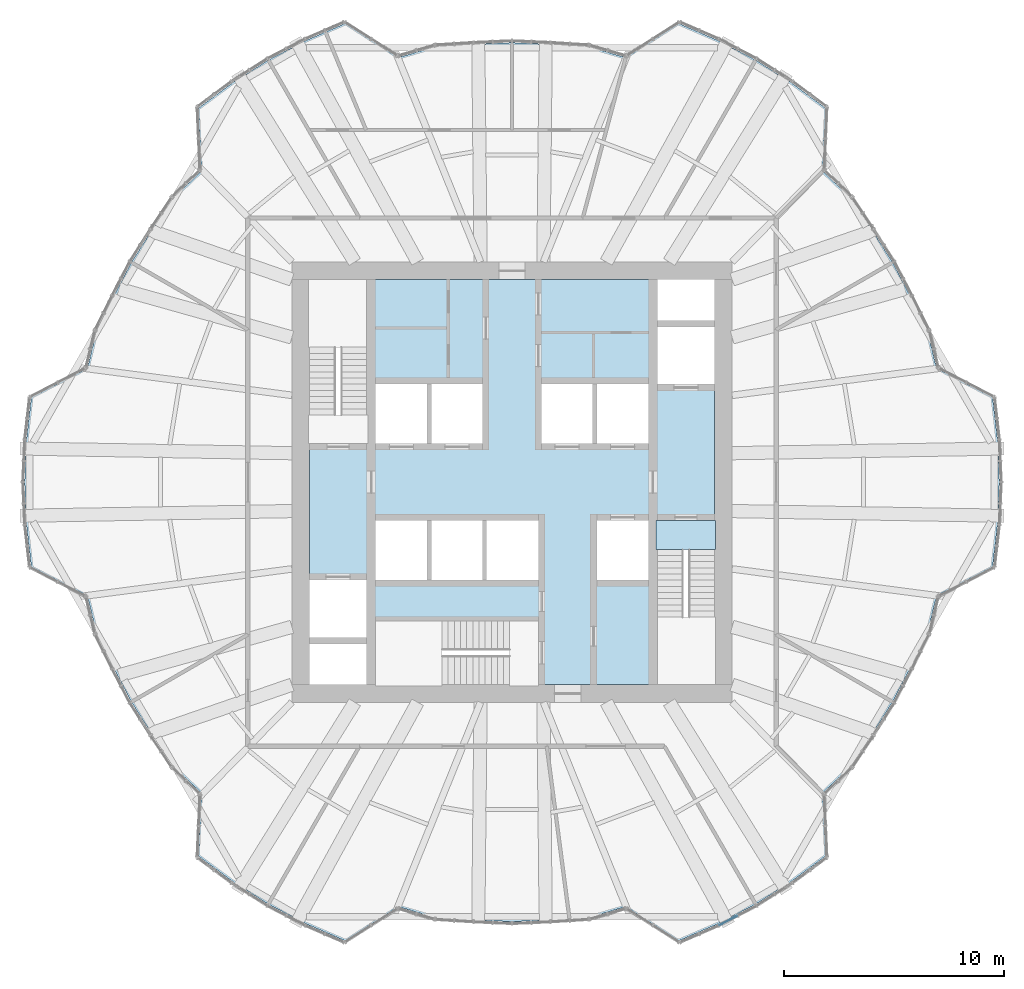
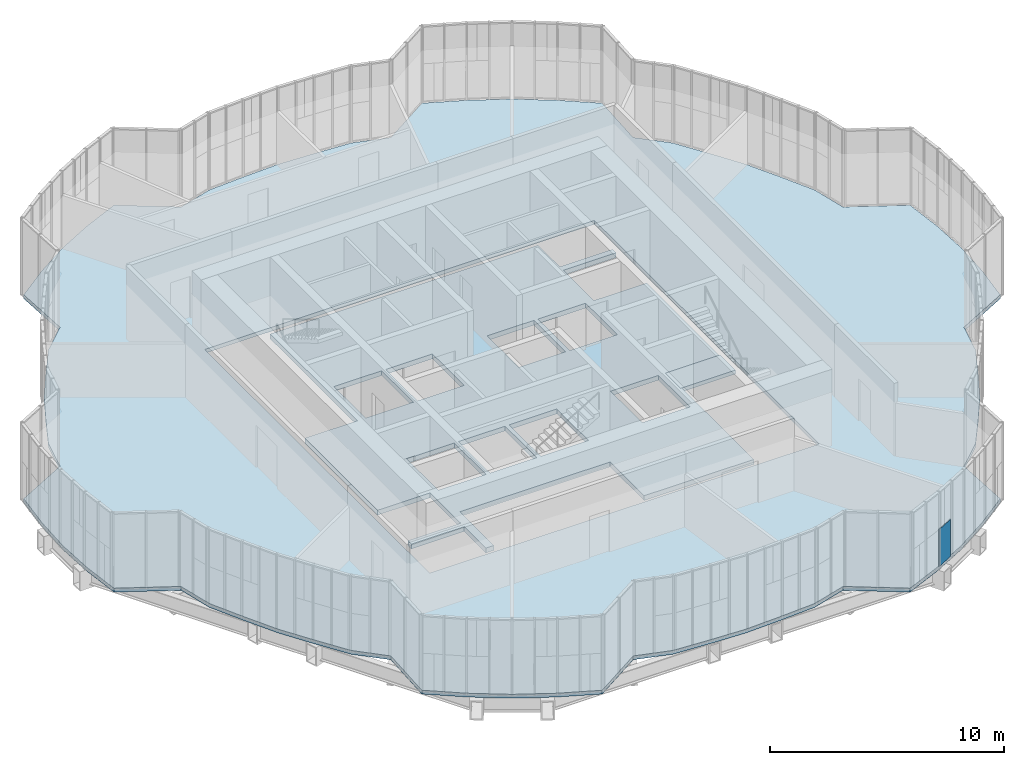
# One storey, part 16 of 24: 3 slabs, 1 plate, 1 element without a shape of its own.
"""IFC4 building model written with IfcOpenShell, lengths in metres."""

from ifc_helpers import new_model, si_unit, direction, frame, origin, origin_2d, place, context, subcontext, project, spatial, polyline, rectangle, outline, extrude, material, layer, layer_set, type_object, element, aggregate, save


model = new_model("IFC4")

# Units and contexts
model_context = context("Model", 3, precision=1e-05, world=origin(), true_north=direction((0.0, 1.0)))
body_context = subcontext(model_context, "Body", "Model", "MODEL_VIEW")
ifc_project = project(units=[si_unit("LENGTHUNIT", "METRE"), si_unit("AREAUNIT", "SQUARE_METRE"), si_unit("VOLUMEUNIT", "CUBIC_METRE"), si_unit("PLANEANGLEUNIT", "RADIAN"), si_unit("MASSUNIT", "GRAM", prefix="KILO")], contexts=[model_context])

# Site, building, storey
site_placement = place(None, origin())
site = spatial("IfcSite", under=ifc_project, at=site_placement, CompositionType="ELEMENT")
building_placement = place(site_placement, origin())
building = spatial("IfcBuilding", under=site, at=building_placement, Name="Golbaran Civic Tower", CompositionType="ELEMENT")
storey_placement = place(building_placement, frame((0.0, 0.0, 25.0)))
storey = spatial("IfcBuildingStorey", under=building, at=storey_placement, Name="L05", CompositionType="ELEMENT", Elevation=25.0)

# Slabs
ifc_material_1 = material(Name="Concrete LC30/33 lightweight on steel deck", Category="concrete")
ifc_layer_1 = layer(ifc_material_1, 0.199951171875, Name="Concrete LC30/33 lightweight on steel deck")
ifc_layer_set_1 = layer_set([ifc_layer_1], Name="Concrete LC30/33 lightweight on steel deck")
slab_type_1 = type_object("IfcSlabType", Name="COMPOSITE FLOOR SLAB 200", PredefinedType="FLOOR", material=ifc_layer_set_1)
slab_1_placement = place(storey_placement, frame((0.0, 0.0, -0.199951171875)))
element("IfcSlab", 1, at=slab_1_placement, inside=storey, type_object=slab_type_1, Name="Floor slab L05", PredefinedType="FLOOR", context=body_context, shape_type="SweptSolid", body=[
    extrude(outline(polyline([(21.833984375, -3.849853515625), (19.285400390625, -5.16748046875), (18.87353515625, -6.869384765625), (18.094970703125, -8.437744140625), (17.290771484375, -9.98291015625), (16.35498046875, -11.451904296875), (15.3857421875, -12.91015625), (14.117919921875, -14.117919921875), (14.2509765625, -16.983642578125), (12.69873046875, -18.1357421875), (11.06982421875, -19.173583984375), (9.356689453125, -20.0654296875), (7.582763671875, -20.833740234375), (5.16748046875, -19.285400390625), (3.487548828125, -19.779541015625), (1.740234375, -19.8896484375), (0.0, -19.965576171875), (-1.740234375, -19.8896484375), (-3.487548828125, -19.779541015625), (-5.16748046875, -19.285400390625), (-7.582763671875, -20.833740234375), (-9.356689453125, -20.0654296875), (-11.06982421875, -19.173583984375), (-12.69873046875, -18.1357421875), (-14.2509765625, -16.983642578125), (-14.117919921875, -14.117919921875), (-15.3857421875, -12.91015625), (-16.35498046875, -11.451904296875), (-17.290771484375, -9.98291015625), (-18.094970703125, -8.437744140625), (-18.87353515625, -6.869384765625), (-19.285400390625, -5.16748046875), (-21.833984375, -3.849853515625), (-22.055419921875, -1.9296875), (-22.1396484375, 0.0), (-22.055419921875, 1.9296875), (-21.833984375, 3.849853515625), (-19.285400390625, 5.16748046875), (-18.87353515625, 6.869384765625), (-18.094970703125, 8.437744140625), (-17.290771484375, 9.98291015625), (-16.35498046875, 11.451904296875), (-15.3857421875, 12.91015625), (-14.117919921875, 14.117919921875), (-14.2509765625, 16.983642578125), (-12.69873046875, 18.1357421875), (-11.06982421875, 19.173583984375), (-9.356689453125, 20.0654296875), (-7.582763671875, 20.833740234375), (-5.16748046875, 19.285400390625), (-3.487548828125, 19.779541015625), (-1.740234375, 19.8896484375), (0.0, 19.965576171875), (1.740234375, 19.8896484375), (3.487548828125, 19.779541015625), (5.16748046875, 19.285400390625), (7.582763671875, 20.833740234375), (9.356689453125, 20.0654296875), (11.06982421875, 19.173583984375), (12.69873046875, 18.1357421875), (14.2509765625, 16.983642578125), (14.117919921875, 14.117919921875), (15.3857421875, 12.91015625), (16.35498046875, 11.451904296875), (17.290771484375, 9.98291015625), (18.094970703125, 8.437744140625), (18.87353515625, 6.869384765625), (19.285400390625, 5.16748046875), (21.833984375, 3.849853515625), (22.055419921875, 1.9296875), (22.1396484375, 0.0), (22.055419921875, -1.9296875), (21.833984375, -3.849853515625)]), holes=[polyline([(-9.60009765625, 9.60009765625), (-9.60009765625, -9.60009765625), (9.60009765625, -9.60009765625), (9.60009765625, 9.60009765625), (-9.60009765625, 9.60009765625)])]), origin(), (0.0, 0.0, 1.0), 0.199951171875),
])
ifc_material_2 = material(Name="Concrete C35/45", Category="concrete")
ifc_layer_2 = layer(ifc_material_2, 0.25, Name="Concrete C35/45")
ifc_layer_set_2 = layer_set([ifc_layer_2], Name="Concrete C35/45")
slab_type_2 = type_object("IfcSlabType", Name="CORE FLOOR SLAB 250", PredefinedType="FLOOR", material=ifc_layer_set_2)
slab_2_placement = place(storey_placement, frame((0.0, 0.0, -0.25)))
element("IfcSlab", 2, at=slab_2_placement, inside=storey, type_object=slab_type_2, Name="Core floor slab L05", PredefinedType="FLOOR", context=body_context, shape_type="SweptSolid", body=[
    extrude(outline(polyline([(6.60009765625, -1.75), (6.60009765625, -9.199951171875), (1.199951171875, -9.199951171875), (1.199951171875, -6.300048828125), (-6.199951171875, -6.300048828125), (-6.199951171875, -9.199951171875), (-6.60009765625, -9.199951171875), (-6.60009765625, -7.35009765625), (-9.199951171875, -7.35009765625), (-9.199951171875, -7.050048828125), (-6.60009765625, -7.050048828125), (-6.60009765625, -4.449951171875), (-9.199951171875, -4.449951171875), (-9.199951171875, 1.75), (-6.60009765625, 1.75), (-6.60009765625, 9.199951171875), (6.60009765625, 9.199951171875), (6.60009765625, 7.35009765625), (9.199951171875, 7.35009765625), (9.199951171875, 7.050048828125), (6.60009765625, 7.050048828125), (6.60009765625, 4.449951171875), (9.199951171875, 4.449951171875), (9.199951171875, -1.75), (6.60009765625, -1.75)]), holes=[polyline([(6.199951171875, -1.75), (3.85009765625, -1.75), (3.85009765625, -4.449951171875), (6.199951171875, -4.449951171875), (6.199951171875, -1.75)]), polyline([(6.199951171875, 4.449951171875), (3.85009765625, 4.449951171875), (3.85009765625, 1.75), (6.199951171875, 1.75), (6.199951171875, 4.449951171875)]), polyline([(3.64990234375, 4.449951171875), (1.35009765625, 4.449951171875), (1.35009765625, 1.75), (3.64990234375, 1.75), (3.64990234375, 4.449951171875)]), polyline([(1.199951171875, -1.75), (-1.14990234375, -1.75), (-1.14990234375, -4.449951171875), (1.199951171875, -4.449951171875), (1.199951171875, -1.75)]), polyline([(-1.35009765625, 4.449951171875), (-3.64990234375, 4.449951171875), (-3.64990234375, 1.75), (-1.35009765625, 1.75), (-1.35009765625, 4.449951171875)]), polyline([(-1.35009765625, -1.75), (-3.64990234375, -1.75), (-3.64990234375, -4.449951171875), (-1.35009765625, -4.449951171875), (-1.35009765625, -1.75)]), polyline([(-3.85009765625, -1.75), (-6.199951171875, -1.75), (-6.199951171875, -4.449951171875), (-3.85009765625, -4.449951171875), (-3.85009765625, -1.75)]), polyline([(-3.85009765625, 4.449951171875), (-6.199951171875, 4.449951171875), (-6.199951171875, 1.75), (-3.85009765625, 1.75), (-3.85009765625, 4.449951171875)])]), origin(), (0.0, 0.0, 1.0), 0.25),
])

# Curtain wall, plate
ifc_material_3 = material(Name="Aluminium and glass", Category="aluminium")
curtain_wall_type = type_object("IfcCurtainWallType", Name="INNER SKIN CURTAIN WALL", PredefinedType="NOTDEFINED", material=ifc_material_3)
curtain_wall_placement = place(storey_placement, origin())
curtain_wall = element("IfcCurtainWall", 3, at=curtain_wall_placement, inside=storey, type_object=curtain_wall_type, Name="Inner skin L05 facet 60 CW1", ObjectType="INNER SKIN", PredefinedType="USERDEFINED")
ifc_material_4 = material(Name="Aluminium faced opaque infill panel", Category="aluminium")
ifc_layer_3 = layer(ifc_material_4, 0.031982421875, Name="Aluminium faced opaque infill panel")
ifc_layer_set_3 = layer_set([ifc_layer_3], Name="Aluminium faced opaque infill panel")
plate_type = type_object("IfcPlateType", Name="INNER SKIN CURTAIN WALL OPAQUE INFILL PANEL", PredefinedType="CURTAIN_PANEL", material=ifc_layer_set_3)
plate_placement = place(storey_placement, frame((9.82080078125, -19.915283203125, 0.06494140625), z_axis=(0.0, 0.0, 1.0), x_axis=(0.887010833033, 0.461748613514, 0.0)))
plate = element("IfcPlate", 4, at=plate_placement, type_object=plate_type, Name="CW1 infill panel 1.1 part 1", PredefinedType="CURTAIN_PANEL", context=body_context, shape_type="SweptSolid", body=[
    extrude(rectangle(XDim=0.904296875, YDim=0.031982421875, at=origin_2d()), origin(), (0.0, 0.0, 1.0), 1.93505859375),
])
aggregate(curtain_wall, [plate])

# Slab
ifc_layer_4 = layer(ifc_material_2, 0.199951171875, Name="Concrete C35/45")
ifc_layer_set_4 = layer_set([ifc_layer_4], Name="Concrete C35/45")
slab_type_3 = type_object("IfcSlabType", Name="STAIR LANDING 200", PredefinedType="LANDING", material=ifc_layer_set_4)
slab_3_placement = place(storey_placement, frame((0.0, 0.0, -0.199951171875)))
element("IfcSlab", 5, at=slab_3_placement, inside=storey, type_object=slab_type_3, Name="Stair S2 floor landing L05", PredefinedType="LANDING", context=body_context, shape_type="SweptSolid", body=[
    extrude(outline(polyline([(9.25, -1.75), (9.25, -3.054931640625), (6.550048828125, -3.054931640625), (6.550048828125, -1.75), (9.25, -1.75)])), origin(), (0.0, 0.0, 1.0), 0.199951171875),
])

save(model, "model.ifc")
